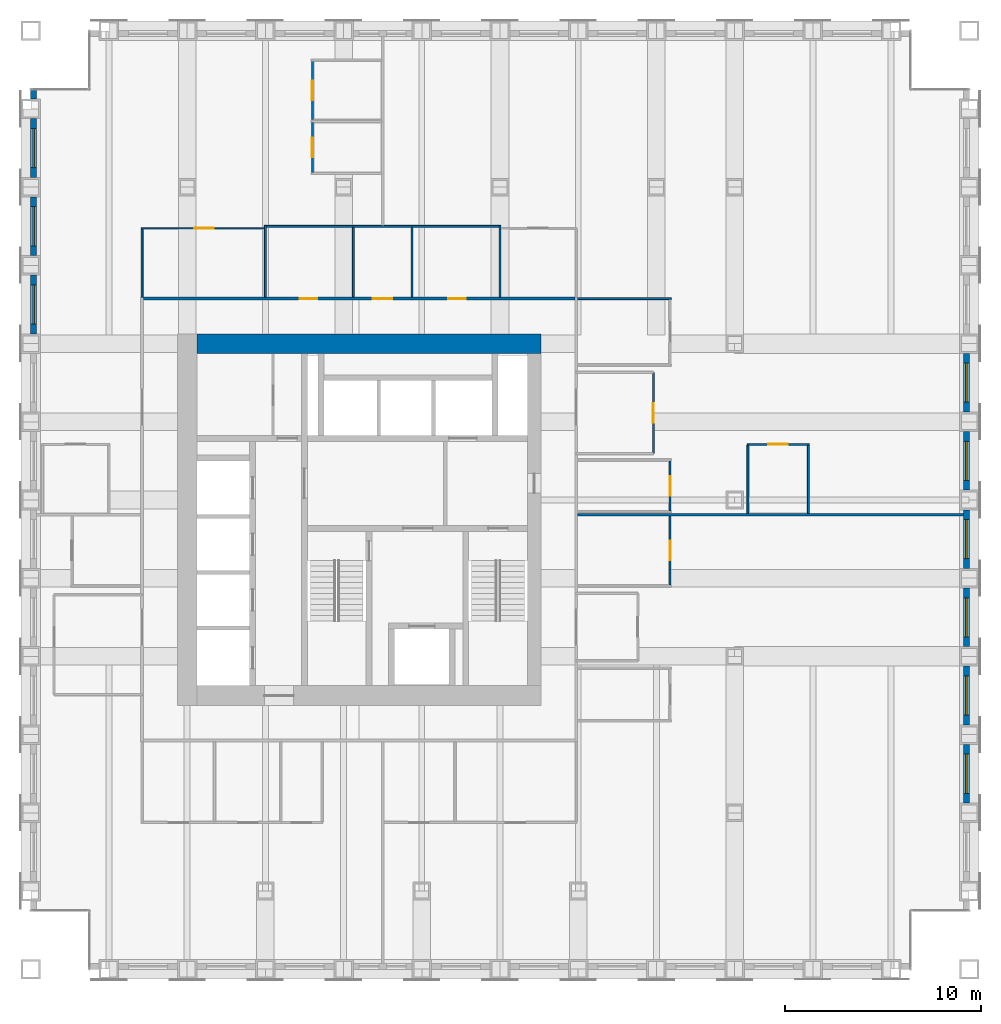
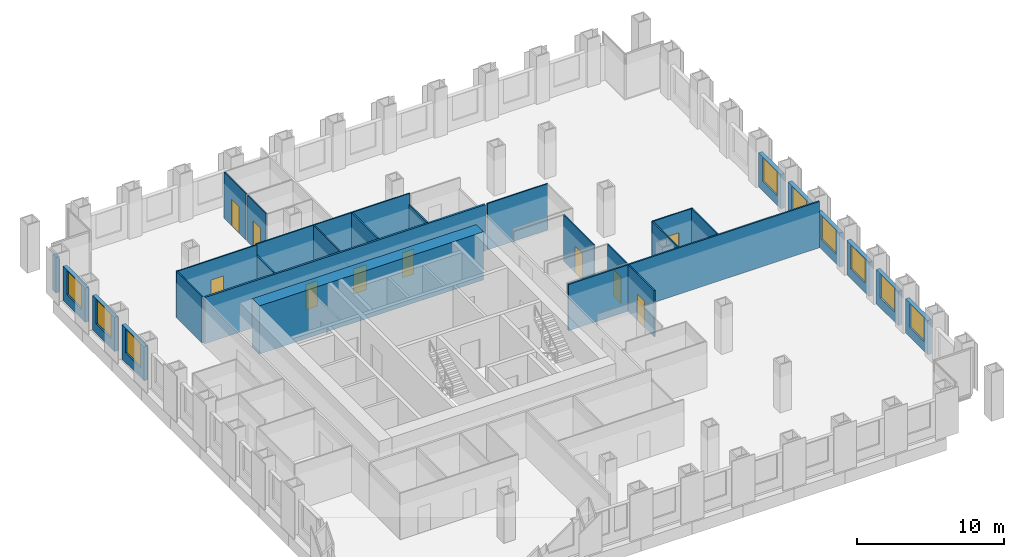
# One storey, part 13 of 16: 29 walls, 10 doors, 9 windows, 19 openings.
"""IFC4 building model written with IfcOpenShell, lengths in metres."""

from ifc_helpers import new_model, si_unit, direction, frame, frame_2d, origin, place, context, subcontext, project, spatial, rectangle, extrude, material, layer, layer_set, type_object, element, fill, save


model = new_model("IFC4")

# Units and contexts
model_context = context("Model", 3, precision=1e-05, world=origin(), true_north=direction((0.0, 1.0)))
body_context = subcontext(model_context, "Body", "Model", "MODEL_VIEW")
ifc_project = project(units=[si_unit("LENGTHUNIT", "METRE"), si_unit("AREAUNIT", "SQUARE_METRE"), si_unit("VOLUMEUNIT", "CUBIC_METRE"), si_unit("PLANEANGLEUNIT", "RADIAN"), si_unit("MASSUNIT", "GRAM", prefix="KILO")], contexts=[model_context])

# Site, building, storey
site_placement = place(None, origin())
site = spatial("IfcSite", under=ifc_project, at=site_placement, CompositionType="ELEMENT")
building_placement = place(site_placement, origin())
building = spatial("IfcBuilding", under=site, at=building_placement, Name="Rimbunsela Tower", CompositionType="ELEMENT")
storey_placement = place(building_placement, frame((0.0, 0.0, 125.39990234375)))
storey = spatial("IfcBuildingStorey", under=building, at=storey_placement, Name="L30", CompositionType="ELEMENT", Elevation=125.39990234375)

# Wall
ifc_material_1 = material(Name="Concrete fc' 80 MPa", Category="concrete")
ifc_layer_1 = layer(ifc_material_1, 1.0)
ifc_layer_set_1 = layer_set([ifc_layer_1], Name="Core wall 1000")
wall_type_1 = type_object("IfcWallType", Name="Core wall 1000", PredefinedType="SHEAR", material=ifc_layer_set_1)
wall_1_placement = place(storey_placement, frame((18.5, 36.0, -0.14990234375), z_axis=(0.0, 0.0, 1.0), x_axis=(1.0, 0.0, 0.0)))
element("IfcWall", 1, at=wall_1_placement, inside=storey, type_object=wall_type_1, Name="Core wall north", PredefinedType="SHEAR", context=body_context, shape_type="SweptSolid", body=[
    extrude(rectangle(XDim=17.60009765625, YDim=1.0, at=frame_2d((8.800048828125, 0.0))), origin(), (0.0, 0.0, 1.0), 4.0),
])

# Wall, opening, door
ifc_material_2 = material(Name="Gypsum board on steel studs", Category="steel")
ifc_layer_2 = layer(ifc_material_2, 0.10009765625)
ifc_layer_set_2 = layer_set([ifc_layer_2], Name="Office partition 100")
wall_type_2 = type_object("IfcWallType", Name="Office partition 100", PredefinedType="PARTITIONING", material=ifc_layer_set_2)
wall_2_placement = place(storey_placement, frame((46.625, 30.85009765625, 0.0), z_axis=(0.0, 0.0, 1.0), x_axis=(1.0, 0.0, 0.0)))
wall_2 = element("IfcWall", 2, at=wall_2_placement, inside=storey, type_object=wall_type_2, Name="Office partition", PredefinedType="PARTITIONING", context=body_context, shape_type="SweptSolid", body=[
    extrude(rectangle(XDim=3.199951171875, YDim=0.10009765625, at=frame_2d((1.60009765625, 0.0))), origin(), (0.0, 0.0, 1.0), 3.85009765625),
])
opening_1_placement = place(wall_2_placement, frame((1.10009765625, 0.0, 0.0)))
opening_1 = element("IfcOpeningElement", 3, at=opening_1_placement, cuts=wall_2, Name="Opening D16", PredefinedType="OPENING", context=body_context, shape_type="SweptSolid", body=[
    extrude(rectangle(XDim=1.0, YDim=2.199951171875, at=frame_2d((0.5, 1.10009765625))), frame((0.0, 0.06005859375, 0.0), z_axis=(0.0, -1.0, 0.0), x_axis=(1.0, 0.0, 0.0)), (0.0, 0.0, 1.0), 0.1201171875),
])
ifc_material_3 = material(Name="Timber door", Category="wood")
door_type_1 = type_object("IfcDoorType", Name="Office door 1000", OperationType="SINGLE_SWING_LEFT", PredefinedType="DOOR", material=ifc_material_3)
door_1_placement = place(opening_1_placement, origin())
door_1 = element("IfcDoor", 4, at=door_1_placement, inside=storey, type_object=door_type_1, Name="Office door", OperationType="SINGLE_SWING_LEFT", OverallHeight=2.199951171875, OverallWidth=1.0, PredefinedType="DOOR", context=body_context, shape_type="SweptSolid", body=[
    extrude(rectangle(XDim=1.0, YDim=2.199951171875, at=frame_2d((0.5, 1.10009765625))), frame((0.0, 0.02490234375, 0.0), z_axis=(0.0, -1.0, 0.0), x_axis=(1.0, 0.0, 0.0)), (0.0, 0.0, 1.0), 0.050048828125),
])
fill(opening_1, door_1)

# Wall
wall_3_placement = place(storey_placement, frame((37.97509765625, 38.300048828125, 0.0), z_axis=(0.0, 0.0, 1.0), x_axis=(1.0, 0.0, 0.0)))
element("IfcWall", 5, at=wall_3_placement, inside=storey, type_object=wall_type_2, Name="Office partition", PredefinedType="PARTITIONING", context=body_context, shape_type="SweptSolid", body=[
    extrude(rectangle(XDim=4.77490234375, YDim=0.10009765625, at=frame_2d((2.387451171875, 0.0))), origin(), (0.0, 0.0, 1.0), 3.85009765625),
])

# Wall, opening, door
wall_4_placement = place(storey_placement, frame((15.64990234375, 41.89990234375, 0.0), z_axis=(0.0, 0.0, 1.0), x_axis=(1.0, 0.0, 0.0)))
wall_4 = element("IfcWall", 6, at=wall_4_placement, inside=storey, type_object=wall_type_2, Name="Office partition", PredefinedType="PARTITIONING", context=body_context, shape_type="SweptSolid", body=[
    extrude(rectangle(XDim=6.300048828125, YDim=0.10009765625, at=frame_2d((3.14990234375, 0.0))), origin(), (0.0, 0.0, 1.0), 3.85009765625),
])
opening_2_placement = place(wall_4_placement, frame((2.699951171875, 0.0, 0.0)))
opening_2 = element("IfcOpeningElement", 7, at=opening_2_placement, cuts=wall_4, Name="Opening D17", PredefinedType="OPENING", context=body_context, shape_type="SweptSolid", body=[
    extrude(rectangle(XDim=1.0, YDim=2.199951171875, at=frame_2d((0.5, 1.10009765625))), frame((0.0, 0.06005859375, 0.0), z_axis=(0.0, -1.0, 0.0), x_axis=(1.0, 0.0, 0.0)), (0.0, 0.0, 1.0), 0.1201171875),
])
ifc_material_4 = material(Name="Glazed aluminium door", Category="aluminium")
door_type_2 = type_object("IfcDoorType", Name="Meeting room door 1000 glazed", OperationType="SINGLE_SWING_RIGHT", PredefinedType="DOOR", material=ifc_material_4)
door_2_placement = place(opening_2_placement, origin())
door_2 = element("IfcDoor", 8, at=door_2_placement, inside=storey, type_object=door_type_2, Name="Meeting room door", OperationType="SINGLE_SWING_RIGHT", OverallHeight=2.199951171875, OverallWidth=1.0, PredefinedType="DOOR", context=body_context, shape_type="SweptSolid", body=[
    extrude(rectangle(XDim=1.0, YDim=2.199951171875, at=frame_2d((0.5, 1.10009765625))), frame((0.0, 0.02490234375, 0.0), z_axis=(0.0, -1.0, 0.0), x_axis=(1.0, 0.0, 0.0)), (0.0, 0.0, 1.0), 0.050048828125),
])
fill(opening_2, door_2)

# Wall
wall_5_placement = place(storey_placement, frame((15.699951171875, 38.375, 0.0), z_axis=(0.0, 0.0, 1.0), x_axis=(0.0, 1.0, 0.0)))
element("IfcWall", 9, at=wall_5_placement, inside=storey, type_object=wall_type_2, Name="Office partition", PredefinedType="PARTITIONING", context=body_context, shape_type="SweptSolid", body=[
    extrude(rectangle(XDim=3.47509765625, YDim=0.10009765625, at=frame_2d((1.737548828125, 0.0))), origin(), (0.0, 0.0, 1.0), 3.85009765625),
])

# Wall, opening, door
wall_6_placement = place(storey_placement, frame((24.39990234375, 44.75, 0.0), z_axis=(0.0, 0.0, 1.0), x_axis=(0.0, 1.0, 0.0)))
wall_6 = element("IfcWall", 10, at=wall_6_placement, inside=storey, type_object=wall_type_2, Name="Office partition", PredefinedType="PARTITIONING", context=body_context, shape_type="SweptSolid", body=[
    extrude(rectangle(XDim=2.550048828125, YDim=0.10009765625, at=frame_2d((1.27490234375, 0.0))), origin(), (0.0, 0.0, 1.0), 3.85009765625),
])
opening_3_placement = place(wall_6_placement, frame((0.77490234375, 0.0, 0.0)))
opening_3 = element("IfcOpeningElement", 11, at=opening_3_placement, cuts=wall_6, Name="Opening D16", PredefinedType="OPENING", context=body_context, shape_type="SweptSolid", body=[
    extrude(rectangle(XDim=1.0, YDim=2.199951171875, at=frame_2d((0.5, 1.10009765625))), frame((0.0, 0.06005859375, 0.0), z_axis=(0.0, -1.0, 0.0), x_axis=(1.0, 0.0, 0.0)), (0.0, 0.0, 1.0), 0.1201171875),
])
door_3_placement = place(opening_3_placement, origin())
door_3 = element("IfcDoor", 12, at=door_3_placement, inside=storey, type_object=door_type_1, Name="Office door", OperationType="SINGLE_SWING_LEFT", OverallHeight=2.199951171875, OverallWidth=1.0, PredefinedType="DOOR", context=body_context, shape_type="SweptSolid", body=[
    extrude(rectangle(XDim=1.0, YDim=2.199951171875, at=frame_2d((0.5, 1.10009765625))), frame((0.0, 0.02490234375, 0.0), z_axis=(0.0, -1.0, 0.0), x_axis=(1.0, 0.0, 0.0)), (0.0, 0.0, 1.0), 0.050048828125),
])
fill(opening_3, door_3)

wall_7_placement = place(storey_placement, frame((24.39990234375, 47.449951171875, 0.0), z_axis=(0.0, 0.0, 1.0), x_axis=(0.0, 1.0, 0.0)))
wall_7 = element("IfcWall", 13, at=wall_7_placement, inside=storey, type_object=wall_type_2, Name="Office partition", PredefinedType="PARTITIONING", context=body_context, shape_type="SweptSolid", body=[
    extrude(rectangle(XDim=3.0, YDim=0.10009765625, at=frame_2d((1.5, 0.0))), origin(), (0.0, 0.0, 1.0), 3.85009765625),
])
opening_4_placement = place(wall_7_placement, frame((1.0, 0.0, 0.0)))
opening_4 = element("IfcOpeningElement", 14, at=opening_4_placement, cuts=wall_7, Name="Opening D16", PredefinedType="OPENING", context=body_context, shape_type="SweptSolid", body=[
    extrude(rectangle(XDim=1.0, YDim=2.199951171875, at=frame_2d((0.5, 1.10009765625))), frame((0.0, 0.06005859375, 0.0), z_axis=(0.0, -1.0, 0.0), x_axis=(1.0, 0.0, 0.0)), (0.0, 0.0, 1.0), 0.1201171875),
])
door_4_placement = place(opening_4_placement, origin())
door_4 = element("IfcDoor", 15, at=door_4_placement, inside=storey, type_object=door_type_1, Name="Office door", OperationType="SINGLE_SWING_LEFT", OverallHeight=2.199951171875, OverallWidth=1.0, PredefinedType="DOOR", context=body_context, shape_type="SweptSolid", body=[
    extrude(rectangle(XDim=1.0, YDim=2.199951171875, at=frame_2d((0.5, 1.10009765625))), frame((0.0, 0.02490234375, 0.0), z_axis=(0.0, -1.0, 0.0), x_axis=(1.0, 0.0, 0.0)), (0.0, 0.0, 1.0), 0.050048828125),
])
fill(opening_4, door_4)

wall_8_placement = place(storey_placement, frame((42.699951171875, 23.64892578125, 0.0), z_axis=(0.0, 0.0, 1.0), x_axis=(0.0, 1.0, 0.0)))
wall_8 = element("IfcWall", 16, at=wall_8_placement, inside=storey, type_object=wall_type_2, Name="Office partition", PredefinedType="PARTITIONING", context=body_context, shape_type="SweptSolid", body=[
    extrude(rectangle(XDim=3.5400390625, YDim=0.10009765625, at=frame_2d((1.77001953125, 0.0))), origin(), (0.0, 0.0, 1.0), 3.85009765625),
])
opening_5_placement = place(wall_8_placement, frame((1.27490234375, 0.0, 0.0)))
opening_5 = element("IfcOpeningElement", 17, at=opening_5_placement, cuts=wall_8, Name="Opening D16", PredefinedType="OPENING", context=body_context, shape_type="SweptSolid", body=[
    extrude(rectangle(XDim=1.0, YDim=2.199951171875, at=frame_2d((0.5, 1.10009765625))), frame((0.0, 0.06005859375, 0.0), z_axis=(0.0, -1.0, 0.0), x_axis=(1.0, 0.0, 0.0)), (0.0, 0.0, 1.0), 0.1201171875),
])
door_5_placement = place(opening_5_placement, origin())
door_5 = element("IfcDoor", 18, at=door_5_placement, inside=storey, type_object=door_type_1, Name="Office door", OperationType="SINGLE_SWING_LEFT", OverallHeight=2.199951171875, OverallWidth=1.0, PredefinedType="DOOR", context=body_context, shape_type="SweptSolid", body=[
    extrude(rectangle(XDim=1.0, YDim=2.199951171875, at=frame_2d((0.5, 1.10009765625))), frame((0.0, 0.02490234375, 0.0), z_axis=(0.0, -1.0, 0.0), x_axis=(1.0, 0.0, 0.0)), (0.0, 0.0, 1.0), 0.050048828125),
])
fill(opening_5, door_5)

wall_9_placement = place(storey_placement, frame((42.699951171875, 27.449951171875, 0.0), z_axis=(0.0, 0.0, 1.0), x_axis=(0.0, 1.0, 0.0)))
wall_9 = element("IfcWall", 19, at=wall_9_placement, inside=storey, type_object=wall_type_2, Name="Office partition", PredefinedType="PARTITIONING", context=body_context, shape_type="SweptSolid", body=[
    extrude(rectangle(XDim=2.550048828125, YDim=0.10009765625, at=frame_2d((1.27490234375, 0.0))), origin(), (0.0, 0.0, 1.0), 3.85009765625),
])
opening_6_placement = place(wall_9_placement, frame((0.77490234375, 0.0, 0.0)))
opening_6 = element("IfcOpeningElement", 20, at=opening_6_placement, cuts=wall_9, Name="Opening D16", PredefinedType="OPENING", context=body_context, shape_type="SweptSolid", body=[
    extrude(rectangle(XDim=1.0, YDim=2.199951171875, at=frame_2d((0.5, 1.10009765625))), frame((0.0, 0.06005859375, 0.0), z_axis=(0.0, -1.0, 0.0), x_axis=(1.0, 0.0, 0.0)), (0.0, 0.0, 1.0), 0.1201171875),
])
door_6_placement = place(opening_6_placement, origin())
door_6 = element("IfcDoor", 21, at=door_6_placement, inside=storey, type_object=door_type_1, Name="Office door", OperationType="SINGLE_SWING_LEFT", OverallHeight=2.199951171875, OverallWidth=1.0, PredefinedType="DOOR", context=body_context, shape_type="SweptSolid", body=[
    extrude(rectangle(XDim=1.0, YDim=2.199951171875, at=frame_2d((0.5, 1.10009765625))), frame((0.0, 0.02490234375, 0.0), z_axis=(0.0, -1.0, 0.0), x_axis=(1.0, 0.0, 0.0)), (0.0, 0.0, 1.0), 0.050048828125),
])
fill(opening_6, door_6)

# Walls
for number, where, z_axis, x_axis, name in (
    (22, (46.675048828125, 27.31005859375, 0.0), (0.0, 0.0, 1.0), (0.0, 1.0, 0.0), "Office partition"),
    (23, (49.77490234375, 27.31005859375, 0.0), (0.0, 0.0, 1.0), (0.0, 1.0, 0.0), "Office partition"),
):
    element("IfcWall", number, at=place(storey_placement, frame(where, z_axis=z_axis, x_axis=x_axis)), inside=storey, type_object=wall_type_2, Name=name, PredefinedType="PARTITIONING", context=body_context, shape_type="SweptSolid", body=[
        extrude(rectangle(XDim=3.489990234375, YDim=0.10009765625, at=frame_2d((1.7451171875, 0.0))), origin(), (0.0, 0.0, 1.0), 3.85009765625),
    ])

# Wall, opening, door
wall_10_placement = place(storey_placement, frame((41.85009765625, 30.3759765625, 0.0), z_axis=(0.0, 0.0, 1.0), x_axis=(0.0, 1.0, 0.0)))
wall_10 = element("IfcWall", 24, at=wall_10_placement, inside=storey, type_object=wall_type_2, Name="Office partition", PredefinedType="PARTITIONING", context=body_context, shape_type="SweptSolid", body=[
    extrude(rectangle(XDim=4.14990234375, YDim=0.10009765625, at=frame_2d((2.074951171875, 0.0))), origin(), (0.0, 0.0, 1.0), 3.85009765625),
])
opening_7_placement = place(wall_10_placement, frame((1.574951171875, 0.0, 0.0)))
opening_7 = element("IfcOpeningElement", 25, at=opening_7_placement, cuts=wall_10, Name="Opening D17", PredefinedType="OPENING", context=body_context, shape_type="SweptSolid", body=[
    extrude(rectangle(XDim=1.0, YDim=2.199951171875, at=frame_2d((0.5, 1.10009765625))), frame((0.0, 0.06005859375, 0.0), z_axis=(0.0, -1.0, 0.0), x_axis=(1.0, 0.0, 0.0)), (0.0, 0.0, 1.0), 0.1201171875),
])
door_7_placement = place(opening_7_placement, origin())
door_7 = element("IfcDoor", 26, at=door_7_placement, inside=storey, type_object=door_type_2, Name="Reception door", OperationType="SINGLE_SWING_RIGHT", OverallHeight=2.199951171875, OverallWidth=1.0, PredefinedType="DOOR", context=body_context, shape_type="SweptSolid", body=[
    extrude(rectangle(XDim=1.0, YDim=2.199951171875, at=frame_2d((0.5, 1.10009765625))), frame((0.0, 0.02490234375, 0.0), z_axis=(0.0, -1.0, 0.0), x_axis=(1.0, 0.0, 0.0)), (0.0, 0.0, 1.0), 0.050048828125),
])
fill(opening_7, door_7)

# Wall, opening, window
ifc_material_5 = material(Name="Precast concrete fc' 35 MPa", Category="concrete")
ifc_layer_3 = layer(ifc_material_5, 0.300048828125)
ifc_layer_set_3 = layer_set([ifc_layer_3], Name="Precast concrete fc' 35 MPa")
wall_type_3 = type_object("IfcWallType", Name="Precast facade panel 300", PredefinedType="ELEMENTEDWALL", material=ifc_layer_set_3)
wall_11_placement = place(storey_placement, frame((57.85009765625, 12.5, 0.0), z_axis=(0.0, 0.0, 1.0), x_axis=(0.0, 1.0, 0.0)))
wall_11 = element("IfcWall", 27, at=wall_11_placement, inside=storey, type_object=wall_type_3, Name="Facade panel E L30", PredefinedType="ELEMENTEDWALL", context=body_context, shape_type="SweptSolid", body=[
    extrude(rectangle(XDim=3.0, YDim=0.300048828125, at=frame_2d((1.5, 0.0))), origin(), (0.0, 0.0, 1.0), 2.85009765625),
])
opening_8_placement = place(wall_11_placement, frame((0.5, 0.0, 0.800048828125)))
opening_8 = element("IfcOpeningElement", 28, at=opening_8_placement, cuts=wall_11, Name="Opening W1", PredefinedType="OPENING", context=body_context, shape_type="SweptSolid", body=[
    extrude(rectangle(XDim=2.0, YDim=2.0, at=frame_2d((1.0, 1.0))), frame((0.0, 0.159912109375, 0.0), z_axis=(0.0, -1.0, 0.0), x_axis=(1.0, 0.0, 0.0)), (0.0, 0.0, 1.0), 0.320068359375),
])
ifc_material_6 = material(Name="Clear glass in aluminium frame", Category="aluminium")
window_type = type_object("IfcWindowType", Name="Window W1 2000x2000", PartitioningType="DOUBLE_PANEL_VERTICAL", PredefinedType="WINDOW", material=ifc_material_6)
window_1_placement = place(opening_8_placement, origin())
window_1 = element("IfcWindow", 29, at=window_1_placement, inside=storey, type_object=window_type, Name="Window L30", OverallHeight=2.0, OverallWidth=2.0, PartitioningType="SINGLE_PANEL", PredefinedType="WINDOW", context=body_context, shape_type="SweptSolid", body=[
    extrude(rectangle(XDim=2.0, YDim=2.0, at=frame_2d((1.0, 1.0))), frame((0.0, 0.030029296875, 0.0), z_axis=(0.0, -1.0, 0.0), x_axis=(1.0, 0.0, 0.0)), (0.0, 0.0, 1.0), 0.06005859375),
])
fill(opening_8, window_1)

wall_12_placement = place(storey_placement, frame((57.85009765625, 16.5, 0.0), z_axis=(0.0, 0.0, 1.0), x_axis=(0.0, 1.0, 0.0)))
wall_12 = element("IfcWall", 30, at=wall_12_placement, inside=storey, type_object=wall_type_3, Name="Facade panel E L30", PredefinedType="ELEMENTEDWALL", context=body_context, shape_type="SweptSolid", body=[
    extrude(rectangle(XDim=3.0, YDim=0.300048828125, at=frame_2d((1.5, 0.0))), origin(), (0.0, 0.0, 1.0), 2.85009765625),
])
opening_9_placement = place(wall_12_placement, frame((0.5, 0.0, 0.800048828125)))
opening_9 = element("IfcOpeningElement", 31, at=opening_9_placement, cuts=wall_12, Name="Opening W1", PredefinedType="OPENING", context=body_context, shape_type="SweptSolid", body=[
    extrude(rectangle(XDim=2.0, YDim=2.0, at=frame_2d((1.0, 1.0))), frame((0.0, 0.159912109375, 0.0), z_axis=(0.0, -1.0, 0.0), x_axis=(1.0, 0.0, 0.0)), (0.0, 0.0, 1.0), 0.320068359375),
])
window_2_placement = place(opening_9_placement, origin())
window_2 = element("IfcWindow", 32, at=window_2_placement, inside=storey, type_object=window_type, Name="Window L30", OverallHeight=2.0, OverallWidth=2.0, PartitioningType="SINGLE_PANEL", PredefinedType="WINDOW", context=body_context, shape_type="SweptSolid", body=[
    extrude(rectangle(XDim=2.0, YDim=2.0, at=frame_2d((1.0, 1.0))), frame((0.0, 0.030029296875, 0.0), z_axis=(0.0, -1.0, 0.0), x_axis=(1.0, 0.0, 0.0)), (0.0, 0.0, 1.0), 0.06005859375),
])
fill(opening_9, window_2)

wall_13_placement = place(storey_placement, frame((57.85009765625, 20.5, 0.0), z_axis=(0.0, 0.0, 1.0), x_axis=(0.0, 1.0, 0.0)))
wall_13 = element("IfcWall", 33, at=wall_13_placement, inside=storey, type_object=wall_type_3, Name="Facade panel E L30", PredefinedType="ELEMENTEDWALL", context=body_context, shape_type="SweptSolid", body=[
    extrude(rectangle(XDim=3.0, YDim=0.300048828125, at=frame_2d((1.5, 0.0))), origin(), (0.0, 0.0, 1.0), 2.85009765625),
])
opening_10_placement = place(wall_13_placement, frame((0.5, 0.0, 0.800048828125)))
opening_10 = element("IfcOpeningElement", 34, at=opening_10_placement, cuts=wall_13, Name="Opening W1", PredefinedType="OPENING", context=body_context, shape_type="SweptSolid", body=[
    extrude(rectangle(XDim=2.0, YDim=2.0, at=frame_2d((1.0, 1.0))), frame((0.0, 0.159912109375, 0.0), z_axis=(0.0, -1.0, 0.0), x_axis=(1.0, 0.0, 0.0)), (0.0, 0.0, 1.0), 0.320068359375),
])
window_3_placement = place(opening_10_placement, origin())
window_3 = element("IfcWindow", 35, at=window_3_placement, inside=storey, type_object=window_type, Name="Window L30", OverallHeight=2.0, OverallWidth=2.0, PartitioningType="SINGLE_PANEL", PredefinedType="WINDOW", context=body_context, shape_type="SweptSolid", body=[
    extrude(rectangle(XDim=2.0, YDim=2.0, at=frame_2d((1.0, 1.0))), frame((0.0, 0.030029296875, 0.0), z_axis=(0.0, -1.0, 0.0), x_axis=(1.0, 0.0, 0.0)), (0.0, 0.0, 1.0), 0.06005859375),
])
fill(opening_10, window_3)

wall_14_placement = place(storey_placement, frame((57.85009765625, 24.5, 0.0), z_axis=(0.0, 0.0, 1.0), x_axis=(0.0, 1.0, 0.0)))
wall_14 = element("IfcWall", 36, at=wall_14_placement, inside=storey, type_object=wall_type_3, Name="Facade panel E L30", PredefinedType="ELEMENTEDWALL", context=body_context, shape_type="SweptSolid", body=[
    extrude(rectangle(XDim=3.0, YDim=0.300048828125, at=frame_2d((1.5, 0.0))), origin(), (0.0, 0.0, 1.0), 2.85009765625),
])
opening_11_placement = place(wall_14_placement, frame((0.5, 0.0, 0.800048828125)))
opening_11 = element("IfcOpeningElement", 37, at=opening_11_placement, cuts=wall_14, Name="Opening W1", PredefinedType="OPENING", context=body_context, shape_type="SweptSolid", body=[
    extrude(rectangle(XDim=2.0, YDim=2.0, at=frame_2d((1.0, 1.0))), frame((0.0, 0.159912109375, 0.0), z_axis=(0.0, -1.0, 0.0), x_axis=(1.0, 0.0, 0.0)), (0.0, 0.0, 1.0), 0.320068359375),
])
window_4_placement = place(opening_11_placement, origin())
window_4 = element("IfcWindow", 38, at=window_4_placement, inside=storey, type_object=window_type, Name="Window L30", OverallHeight=2.0, OverallWidth=2.0, PartitioningType="SINGLE_PANEL", PredefinedType="WINDOW", context=body_context, shape_type="SweptSolid", body=[
    extrude(rectangle(XDim=2.0, YDim=2.0, at=frame_2d((1.0, 1.0))), frame((0.0, 0.030029296875, 0.0), z_axis=(0.0, -1.0, 0.0), x_axis=(1.0, 0.0, 0.0)), (0.0, 0.0, 1.0), 0.06005859375),
])
fill(opening_11, window_4)

wall_15_placement = place(storey_placement, frame((57.85009765625, 28.5, 0.0), z_axis=(0.0, 0.0, 1.0), x_axis=(0.0, 1.0, 0.0)))
wall_15 = element("IfcWall", 39, at=wall_15_placement, inside=storey, type_object=wall_type_3, Name="Facade panel E L30", PredefinedType="ELEMENTEDWALL", context=body_context, shape_type="SweptSolid", body=[
    extrude(rectangle(XDim=3.0, YDim=0.300048828125, at=frame_2d((1.5, 0.0))), origin(), (0.0, 0.0, 1.0), 2.85009765625),
])
opening_12_placement = place(wall_15_placement, frame((0.5, 0.0, 0.800048828125)))
opening_12 = element("IfcOpeningElement", 40, at=opening_12_placement, cuts=wall_15, Name="Opening W1", PredefinedType="OPENING", context=body_context, shape_type="SweptSolid", body=[
    extrude(rectangle(XDim=2.0, YDim=2.0, at=frame_2d((1.0, 1.0))), frame((0.0, 0.159912109375, 0.0), z_axis=(0.0, -1.0, 0.0), x_axis=(1.0, 0.0, 0.0)), (0.0, 0.0, 1.0), 0.320068359375),
])
window_5_placement = place(opening_12_placement, origin())
window_5 = element("IfcWindow", 41, at=window_5_placement, inside=storey, type_object=window_type, Name="Window L30", OverallHeight=2.0, OverallWidth=2.0, PartitioningType="SINGLE_PANEL", PredefinedType="WINDOW", context=body_context, shape_type="SweptSolid", body=[
    extrude(rectangle(XDim=2.0, YDim=2.0, at=frame_2d((1.0, 1.0))), frame((0.0, 0.030029296875, 0.0), z_axis=(0.0, -1.0, 0.0), x_axis=(1.0, 0.0, 0.0)), (0.0, 0.0, 1.0), 0.06005859375),
])
fill(opening_12, window_5)

wall_16_placement = place(storey_placement, frame((57.85009765625, 32.5, 0.0), z_axis=(0.0, 0.0, 1.0), x_axis=(0.0, 1.0, 0.0)))
wall_16 = element("IfcWall", 42, at=wall_16_placement, inside=storey, type_object=wall_type_3, Name="Facade panel E L30", PredefinedType="ELEMENTEDWALL", context=body_context, shape_type="SweptSolid", body=[
    extrude(rectangle(XDim=3.0, YDim=0.300048828125, at=frame_2d((1.5, 0.0))), origin(), (0.0, 0.0, 1.0), 2.85009765625),
])
opening_13_placement = place(wall_16_placement, frame((0.5, 0.0, 0.800048828125)))
opening_13 = element("IfcOpeningElement", 43, at=opening_13_placement, cuts=wall_16, Name="Opening W1", PredefinedType="OPENING", context=body_context, shape_type="SweptSolid", body=[
    extrude(rectangle(XDim=2.0, YDim=2.0, at=frame_2d((1.0, 1.0))), frame((0.0, 0.159912109375, 0.0), z_axis=(0.0, -1.0, 0.0), x_axis=(1.0, 0.0, 0.0)), (0.0, 0.0, 1.0), 0.320068359375),
])
window_6_placement = place(opening_13_placement, origin())
window_6 = element("IfcWindow", 44, at=window_6_placement, inside=storey, type_object=window_type, Name="Window L30", OverallHeight=2.0, OverallWidth=2.0, PartitioningType="SINGLE_PANEL", PredefinedType="WINDOW", context=body_context, shape_type="SweptSolid", body=[
    extrude(rectangle(XDim=2.0, YDim=2.0, at=frame_2d((1.0, 1.0))), frame((0.0, 0.030029296875, 0.0), z_axis=(0.0, -1.0, 0.0), x_axis=(1.0, 0.0, 0.0)), (0.0, 0.0, 1.0), 0.06005859375),
])
fill(opening_13, window_6)

wall_17_placement = place(storey_placement, frame((10.14990234375, 39.5, 0.0), z_axis=(0.0, 0.0, 1.0), x_axis=(0.0, -1.0, 0.0)))
wall_17 = element("IfcWall", 45, at=wall_17_placement, inside=storey, type_object=wall_type_3, Name="Facade panel W L30", PredefinedType="ELEMENTEDWALL", context=body_context, shape_type="SweptSolid", body=[
    extrude(rectangle(XDim=3.0, YDim=0.300048828125, at=frame_2d((1.5, 0.0))), origin(), (0.0, 0.0, 1.0), 2.85009765625),
])
opening_14_placement = place(wall_17_placement, frame((0.5, 0.0, 0.800048828125)))
opening_14 = element("IfcOpeningElement", 46, at=opening_14_placement, cuts=wall_17, Name="Opening W1", PredefinedType="OPENING", context=body_context, shape_type="SweptSolid", body=[
    extrude(rectangle(XDim=2.0, YDim=2.0, at=frame_2d((1.0, 1.0))), frame((0.0, 0.159912109375, 0.0), z_axis=(0.0, -1.0, 0.0), x_axis=(1.0, 0.0, 0.0)), (0.0, 0.0, 1.0), 0.320068359375),
])
window_7_placement = place(opening_14_placement, origin())
window_7 = element("IfcWindow", 47, at=window_7_placement, inside=storey, type_object=window_type, Name="Window L30", OverallHeight=2.0, OverallWidth=2.0, PartitioningType="SINGLE_PANEL", PredefinedType="WINDOW", context=body_context, shape_type="SweptSolid", body=[
    extrude(rectangle(XDim=2.0, YDim=2.0, at=frame_2d((1.0, 1.0))), frame((0.0, 0.030029296875, 0.0), z_axis=(0.0, -1.0, 0.0), x_axis=(1.0, 0.0, 0.0)), (0.0, 0.0, 1.0), 0.06005859375),
])
fill(opening_14, window_7)

wall_18_placement = place(storey_placement, frame((10.14990234375, 43.5, 0.0), z_axis=(0.0, 0.0, 1.0), x_axis=(0.0, -1.0, 0.0)))
wall_18 = element("IfcWall", 48, at=wall_18_placement, inside=storey, type_object=wall_type_3, Name="Facade panel W L30", PredefinedType="ELEMENTEDWALL", context=body_context, shape_type="SweptSolid", body=[
    extrude(rectangle(XDim=3.0, YDim=0.300048828125, at=frame_2d((1.5, 0.0))), origin(), (0.0, 0.0, 1.0), 2.85009765625),
])
opening_15_placement = place(wall_18_placement, frame((0.5, 0.0, 0.800048828125)))
opening_15 = element("IfcOpeningElement", 49, at=opening_15_placement, cuts=wall_18, Name="Opening W1", PredefinedType="OPENING", context=body_context, shape_type="SweptSolid", body=[
    extrude(rectangle(XDim=2.0, YDim=2.0, at=frame_2d((1.0, 1.0))), frame((0.0, 0.159912109375, 0.0), z_axis=(0.0, -1.0, 0.0), x_axis=(1.0, 0.0, 0.0)), (0.0, 0.0, 1.0), 0.320068359375),
])
window_8_placement = place(opening_15_placement, origin())
window_8 = element("IfcWindow", 50, at=window_8_placement, inside=storey, type_object=window_type, Name="Window L30", OverallHeight=2.0, OverallWidth=2.0, PartitioningType="SINGLE_PANEL", PredefinedType="WINDOW", context=body_context, shape_type="SweptSolid", body=[
    extrude(rectangle(XDim=2.0, YDim=2.0, at=frame_2d((1.0, 1.0))), frame((0.0, 0.030029296875, 0.0), z_axis=(0.0, -1.0, 0.0), x_axis=(1.0, 0.0, 0.0)), (0.0, 0.0, 1.0), 0.06005859375),
])
fill(opening_15, window_8)

wall_19_placement = place(storey_placement, frame((10.14990234375, 47.5, 0.0), z_axis=(0.0, 0.0, 1.0), x_axis=(0.0, -1.0, 0.0)))
wall_19 = element("IfcWall", 51, at=wall_19_placement, inside=storey, type_object=wall_type_3, Name="Facade panel W L30", PredefinedType="ELEMENTEDWALL", context=body_context, shape_type="SweptSolid", body=[
    extrude(rectangle(XDim=3.0, YDim=0.300048828125, at=frame_2d((1.5, 0.0))), origin(), (0.0, 0.0, 1.0), 2.85009765625),
])
opening_16_placement = place(wall_19_placement, frame((0.5, 0.0, 0.800048828125)))
opening_16 = element("IfcOpeningElement", 52, at=opening_16_placement, cuts=wall_19, Name="Opening W1", PredefinedType="OPENING", context=body_context, shape_type="SweptSolid", body=[
    extrude(rectangle(XDim=2.0, YDim=2.0, at=frame_2d((1.0, 1.0))), frame((0.0, 0.159912109375, 0.0), z_axis=(0.0, -1.0, 0.0), x_axis=(1.0, 0.0, 0.0)), (0.0, 0.0, 1.0), 0.320068359375),
])
window_9_placement = place(opening_16_placement, origin())
window_9 = element("IfcWindow", 53, at=window_9_placement, inside=storey, type_object=window_type, Name="Window L30", OverallHeight=2.0, OverallWidth=2.0, PartitioningType="SINGLE_PANEL", PredefinedType="WINDOW", context=body_context, shape_type="SweptSolid", body=[
    extrude(rectangle(XDim=2.0, YDim=2.0, at=frame_2d((1.0, 1.0))), frame((0.0, 0.030029296875, 0.0), z_axis=(0.0, -1.0, 0.0), x_axis=(1.0, 0.0, 0.0)), (0.0, 0.0, 1.0), 0.06005859375),
])
fill(opening_16, window_9)

# Wall
wall_20_placement = place(storey_placement, frame((10.14990234375, 48.969970703125, 0.0), z_axis=(0.0, 0.0, 1.0), x_axis=(0.0, -1.0, 0.0)))
element("IfcWall", 54, at=wall_20_placement, inside=storey, type_object=wall_type_3, Name="Facade panel W L30", PredefinedType="ELEMENTEDWALL", context=body_context, shape_type="SweptSolid", body=[
    extrude(rectangle(XDim=0.469970703125, YDim=0.300048828125, at=frame_2d((0.23486328125, 0.0))), origin(), (0.0, 0.0, 1.0), 2.9501953125),
])

# Wall, openings, doors
ifc_material_7 = material(Name="Fire-rated gypsum board on steel studs, EI 60", Category="steel")
ifc_layer_4 = layer(ifc_material_7, 0.14990234375)
ifc_layer_set_4 = layer_set([ifc_layer_4], Name="Rated corridor wall 150")
wall_type_4 = type_object("IfcWallType", Name="Rated corridor wall 150", PredefinedType="PARTITIONING", material=ifc_layer_set_4)
wall_21_placement = place(storey_placement, frame((15.77490234375, 38.300048828125, 0.0), z_axis=(0.0, 0.0, 1.0), x_axis=(1.0, 0.0, 0.0)))
wall_21 = element("IfcWall", 55, at=wall_21_placement, inside=storey, type_object=wall_type_4, Name="Corridor wall north", PredefinedType="PARTITIONING", context=body_context, shape_type="SweptSolid", body=[
    extrude(rectangle(XDim=22.050048828125, YDim=0.14990234375, at=frame_2d((11.02490234375, 0.0))), origin(), (0.0, 0.0, 1.0), 3.85009765625),
])
opening_17_placement = place(wall_21_placement, frame((7.97509765625, 0.0, 0.0)))
opening_17 = element("IfcOpeningElement", 56, at=opening_17_placement, cuts=wall_21, Name="Opening D04", PredefinedType="OPENING", context=body_context, shape_type="SweptSolid", body=[
    extrude(rectangle(XDim=0.89990234375, YDim=2.10009765625, at=frame_2d((0.449951171875, 1.050048828125))), frame((0.0, 0.0849609375, 0.0), z_axis=(0.0, -1.0, 0.0), x_axis=(1.0, 0.0, 0.0)), (0.0, 0.0, 1.0), 0.169921875),
])
opening_18_placement = place(wall_21_placement, frame((11.72509765625, 0.0, 0.0)))
opening_18 = element("IfcOpeningElement", 57, at=opening_18_placement, cuts=wall_21, Name="Opening D05", PredefinedType="OPENING", context=body_context, shape_type="SweptSolid", body=[
    extrude(rectangle(XDim=1.0, YDim=2.10009765625, at=frame_2d((0.5, 1.050048828125))), frame((0.0, 0.0849609375, 0.0), z_axis=(0.0, -1.0, 0.0), x_axis=(1.0, 0.0, 0.0)), (0.0, 0.0, 1.0), 0.169921875),
])
opening_19_placement = place(wall_21_placement, frame((15.574951171875, 0.0, 0.0)))
opening_19 = element("IfcOpeningElement", 58, at=opening_19_placement, cuts=wall_21, Name="Opening D04", PredefinedType="OPENING", context=body_context, shape_type="SweptSolid", body=[
    extrude(rectangle(XDim=0.89990234375, YDim=2.10009765625, at=frame_2d((0.449951171875, 1.050048828125))), frame((0.0, 0.0849609375, 0.0), z_axis=(0.0, -1.0, 0.0), x_axis=(1.0, 0.0, 0.0)), (0.0, 0.0, 1.0), 0.169921875),
])
ifc_material_8 = material(Name="Timber door", Category="wood")
door_type_3 = type_object("IfcDoorType", Name="Accessible WC door 1000", OperationType="SLIDING_TO_LEFT", PredefinedType="DOOR", material=ifc_material_8)
door_8_placement = place(opening_18_placement, origin())
door_8 = element("IfcDoor", 59, at=door_8_placement, inside=storey, type_object=door_type_3, Name="Accessible WC door", OperationType="SLIDING_TO_LEFT", OverallHeight=2.10009765625, OverallWidth=1.0, PredefinedType="DOOR", context=body_context, shape_type="SweptSolid", body=[
    extrude(rectangle(XDim=1.0, YDim=2.10009765625, at=frame_2d((0.5, 1.050048828125))), frame((0.0, 0.02490234375, 0.0), z_axis=(0.0, -1.0, 0.0), x_axis=(1.0, 0.0, 0.0)), (0.0, 0.0, 1.0), 0.050048828125),
])
fill(opening_18, door_8)
ifc_material_9 = material(Name="Timber door", Category="wood")
door_type_4 = type_object("IfcDoorType", Name="Toilet door 900", OperationType="SINGLE_SWING_LEFT", PredefinedType="DOOR", material=ifc_material_9)
door_9_placement = place(opening_17_placement, origin())
door_9 = element("IfcDoor", 60, at=door_9_placement, inside=storey, type_object=door_type_4, Name="Female WC door", OperationType="SINGLE_SWING_LEFT", OverallHeight=2.10009765625, OverallWidth=0.89990234375, PredefinedType="DOOR", context=body_context, shape_type="SweptSolid", body=[
    extrude(rectangle(XDim=0.89990234375, YDim=2.10009765625, at=frame_2d((0.449951171875, 1.050048828125))), frame((0.0, 0.02490234375, 0.0), z_axis=(0.0, -1.0, 0.0), x_axis=(1.0, 0.0, 0.0)), (0.0, 0.0, 1.0), 0.050048828125),
])
fill(opening_17, door_9)
door_10_placement = place(opening_19_placement, origin())
door_10 = element("IfcDoor", 61, at=door_10_placement, inside=storey, type_object=door_type_4, Name="Male WC door", OperationType="SINGLE_SWING_LEFT", OverallHeight=2.10009765625, OverallWidth=0.89990234375, PredefinedType="DOOR", context=body_context, shape_type="SweptSolid", body=[
    extrude(rectangle(XDim=0.89990234375, YDim=2.10009765625, at=frame_2d((0.449951171875, 1.050048828125))), frame((0.0, 0.02490234375, 0.0), z_axis=(0.0, -1.0, 0.0), x_axis=(1.0, 0.0, 0.0)), (0.0, 0.0, 1.0), 0.050048828125),
])
fill(opening_19, door_10)

# Walls
ifc_material_10 = material(Name="Gypsum board on steel studs", Category="steel")
ifc_layer_5 = layer(ifc_material_10, 0.1201171875)
ifc_layer_set_5 = layer_set([ifc_layer_5], Name="Tenancy partition 120")
wall_type_5 = type_object("IfcWallType", Name="Tenancy partition 120", PredefinedType="PARTITIONING", material=ifc_layer_set_5)
wall_22_placement = place(storey_placement, frame((37.97509765625, 27.25, 0.0), z_axis=(0.0, 0.0, 1.0), x_axis=(1.0, 0.0, 0.0)))
element("IfcWall", 62, at=wall_22_placement, inside=storey, type_object=wall_type_5, Name="Tenancy partition", PredefinedType="PARTITIONING", context=body_context, shape_type="SweptSolid", body=[
    extrude(rectangle(XDim=19.724853515625, YDim=0.1201171875, at=frame_2d((9.8623046875, 0.0))), origin(), (0.0, 0.0, 1.0), 3.85009765625),
])
ifc_material_11 = material(Name="Concrete blockwork", Category="masonry")
ifc_layer_6 = layer(ifc_material_11, 0.10009765625)
ifc_layer_set_6 = layer_set([ifc_layer_6], Name="Toilet partition 100")
wall_type_6 = type_object("IfcWallType", Name="Toilet partition 100", PredefinedType="PARTITIONING", material=ifc_layer_set_6)
for number, where, z_axis, x_axis, name in (
    (63, (22.0, 38.375, 0.0), (0.0, 0.0, 1.0), (0.0, 1.0, 0.0), "Toilet block wall west"),
    (64, (34.0, 38.375, 0.0), (0.0, 0.0, 1.0), (0.0, 1.0, 0.0), "Toilet block wall east"),
):
    element("IfcWall", number, at=place(storey_placement, frame(where, z_axis=z_axis, x_axis=x_axis)), inside=storey, type_object=wall_type_6, Name=name, PredefinedType="PARTITIONING", context=body_context, shape_type="SweptSolid", body=[
        extrude(rectangle(XDim=3.675048828125, YDim=0.10009765625, at=frame_2d((1.83740234375, 0.0))), origin(), (0.0, 0.0, 1.0), 2.9501953125),
    ])
wall_23_placement = place(storey_placement, frame((21.949951171875, 42.0, 0.0), z_axis=(0.0, 0.0, 1.0), x_axis=(1.0, 0.0, 0.0)))
element("IfcWall", 65, at=wall_23_placement, inside=storey, type_object=wall_type_6, Name="Toilet block wall north", PredefinedType="PARTITIONING", context=body_context, shape_type="SweptSolid", body=[
    extrude(rectangle(XDim=12.10009765625, YDim=0.10009765625, at=frame_2d((6.050048828125, 0.0))), origin(), (0.0, 0.0, 1.0), 3.85009765625),
])
for number, where, z_axis, x_axis, name in (
    (66, (26.5, 38.375, 0.0), (0.0, 0.0, 1.0), (0.0, 1.0, 0.0), "Toilet partition"),
    (67, (29.5, 38.375, 0.0), (0.0, 0.0, 1.0), (0.0, 1.0, 0.0), "Toilet partition"),
):
    element("IfcWall", number, at=place(storey_placement, frame(where, z_axis=z_axis, x_axis=x_axis)), inside=storey, type_object=wall_type_6, Name=name, PredefinedType="PARTITIONING", context=body_context, shape_type="SweptSolid", body=[
        extrude(rectangle(XDim=3.574951171875, YDim=0.10009765625, at=frame_2d((1.78759765625, 0.0))), origin(), (0.0, 0.0, 1.0), 3.85009765625),
    ])

save(model, "model.ifc")
